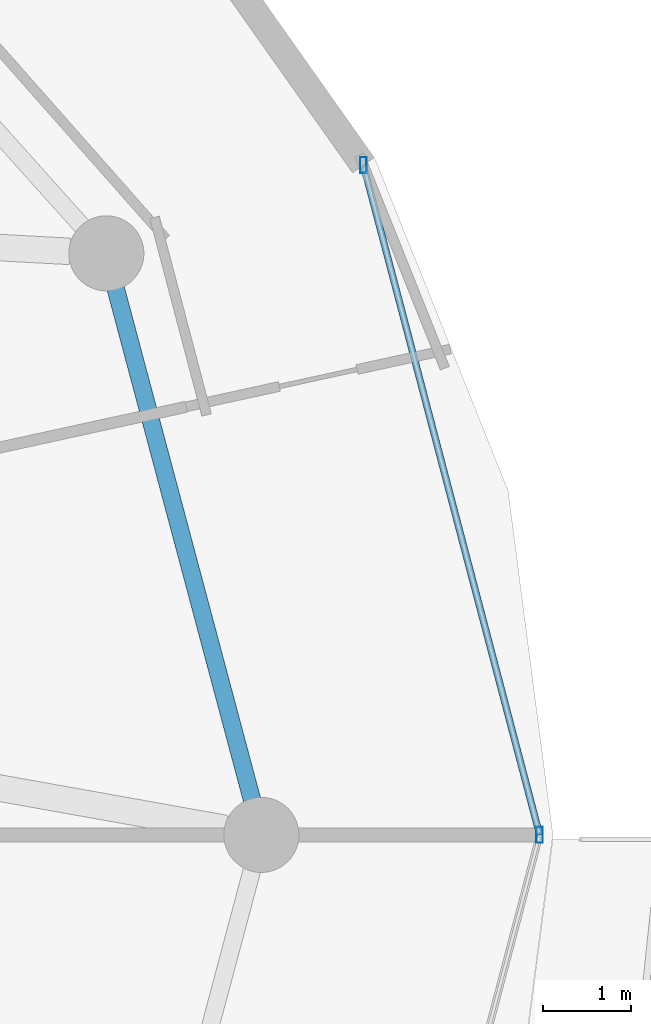
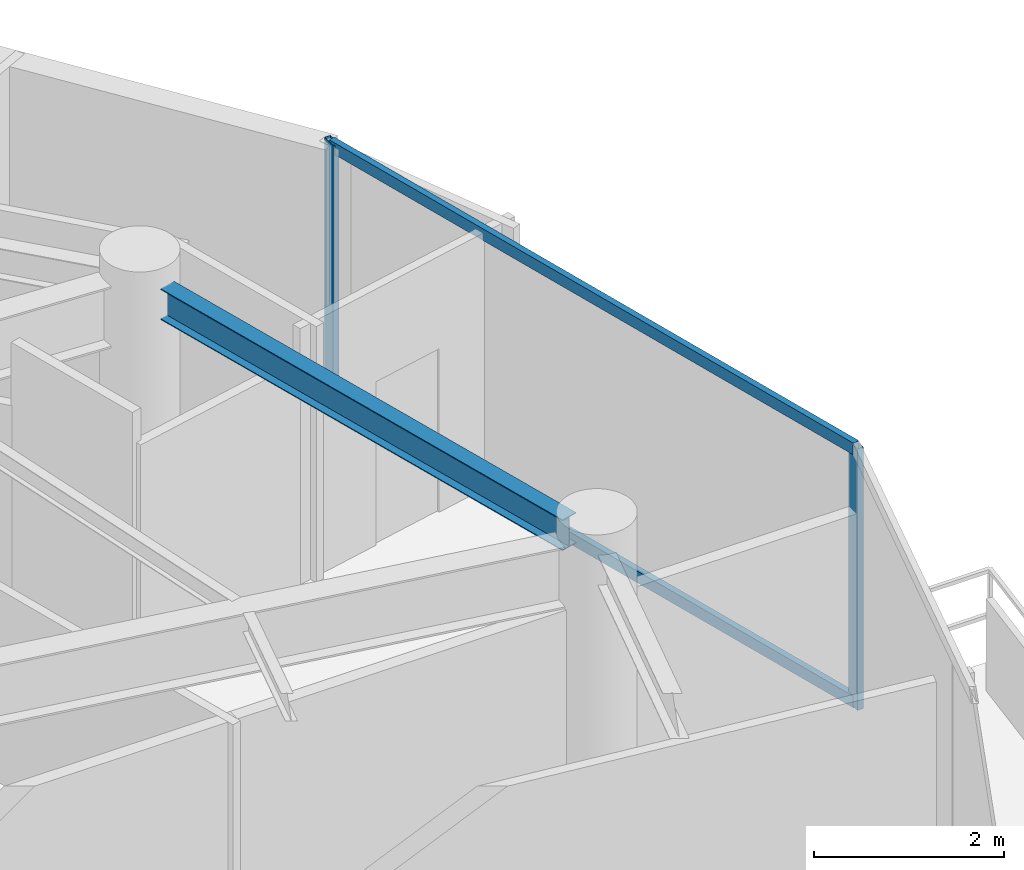
# One storey, part 14 of 29: 4 members, 1 beam, 1 element without a shape of its own.
"""IFC4 building model written with IfcOpenShell, lengths in metres."""

from ifc_helpers import new_model, si_unit, direction, frame, origin, origin_2d, place, context, subcontext, project, spatial, hollow_rectangle, i_section, extrude, material, material_profile, profile_set, type_object, element, aggregate, save


model = new_model("IFC4")

# Units and contexts
model_context = context("Model", 3, precision=1e-05, world=origin(), true_north=direction((0.0, 1.0)))
body_context = subcontext(model_context, "Body", "Model", "MODEL_VIEW")
ifc_project = project(units=[si_unit("LENGTHUNIT", "METRE"), si_unit("AREAUNIT", "SQUARE_METRE"), si_unit("VOLUMEUNIT", "CUBIC_METRE"), si_unit("PLANEANGLEUNIT", "RADIAN"), si_unit("MASSUNIT", "GRAM", prefix="KILO")], contexts=[model_context])

# Site, building, storey
site_placement = place(None, origin())
site = spatial("IfcSite", under=ifc_project, at=site_placement, CompositionType="ELEMENT")
building_placement = place(site_placement, origin())
building = spatial("IfcBuilding", under=site, at=building_placement, Name="Vorneva Point Tower", CompositionType="ELEMENT")
storey_placement = place(building_placement, frame((0.0, 0.0, 255.550048828125)))
storey = spatial("IfcBuildingStorey", under=building, at=storey_placement, Name="L69", CompositionType="ELEMENT", Elevation=255.550048828125)

# Beam
ifc_material_1 = material(Name="Steel S355", Category="steel")
ifc_material_profile_1 = material_profile(ifc_material_1, i_section(OverallWidth=0.198974609375, OverallDepth=0.39599609375, WebThickness=0.007080078125, FlangeThickness=0.010986328125, at=origin_2d()), Name="40B1")
ifc_profile_set_1 = profile_set([ifc_material_profile_1], Name="Steel S355")
beam_type = type_object("IfcBeamType", Name="BM-SPN-40B1", PredefinedType="SPANDREL", material=ifc_profile_set_1)
beam_placement = place(storey_placement, frame((60.9443359375, 26.396240234375, 3.092041015625), z_axis=(-0.257586570866, 0.966255224312, 0.0), x_axis=(-0.966255224312, -0.257586570866, 0.0)))
element("IfcBeam", 1, at=beam_placement, inside=storey, type_object=beam_type, Name="L69 Perimeter Spandrel Ring Beam 01", PredefinedType="SPANDREL", context=body_context, shape_type="SweptSolid", body=[
    extrude(i_section(OverallWidth=0.198974609375, OverallDepth=0.39599609375, WebThickness=0.007080078125, FlangeThickness=0.010986328125, at=origin_2d()), origin(), (0.0, 0.0, 1.0), 5.991943359375),
])

# Curtain wall, members
ifc_material_2 = material(Name="Pale anodised aluminium", Category="aluminium")
curtain_wall_type = type_object("IfcCurtainWallType", Name="CW-RES-SYS", PredefinedType="NOTDEFINED", material=ifc_material_2)
curtain_wall_placement = place(storey_placement, origin())
curtain_wall = element("IfcCurtainWall", 2, at=curtain_wall_placement, inside=storey, type_object=curtain_wall_type, Name="L69 Unitised Curtain Wall CW-L69-R01", PredefinedType="NOTDEFINED")
ifc_material_profile_2 = material_profile(ifc_material_2, hollow_rectangle(XDim=0.074951171875, YDim=0.179931640625, WallThickness=0.00390625, at=origin_2d()), Name="AL-MUL 180x75x4")
ifc_profile_set_2 = profile_set([ifc_material_profile_2], Name="Pale anodised aluminium")
member_type_1 = type_object("IfcMemberType", Name="CW-MUL-180", PredefinedType="MULLION", material=ifc_profile_set_2)
member_1_placement = place(storey_placement, frame((64.199951171875, 26.0, -0.0400390625), z_axis=(0.0, 0.0, 1.0), x_axis=(1.0, 0.0, 0.0)))
member_1 = element("IfcMember", 3, at=member_1_placement, type_object=member_type_1, Name="CW-L69-R01 Mullion 02", PredefinedType="MULLION", context=body_context, shape_type="SweptSolid", body=[
    extrude(hollow_rectangle(XDim=0.074951171875, YDim=0.179931640625, WallThickness=0.00390625, at=origin_2d()), origin(), (0.0, 0.0, 1.0), 3.360107421875),
])
member_2_placement = place(storey_placement, frame((62.20556640625, 33.5810546875, -0.0400390625), z_axis=(0.0, 0.0, 1.0), x_axis=(1.0, 0.0, 0.0)))
member_2 = element("IfcMember", 4, at=member_2_placement, type_object=member_type_1, Name="CW-L69-R01 Mullion 03", PredefinedType="MULLION", context=body_context, shape_type="SweptSolid", body=[
    extrude(hollow_rectangle(XDim=0.074951171875, YDim=0.179931640625, WallThickness=0.00390625, at=origin_2d()), origin(), (0.0, 0.0, 1.0), 3.360107421875),
])
ifc_material_profile_3 = material_profile(ifc_material_2, hollow_rectangle(XDim=0.074951171875, YDim=0.14990234375, WallThickness=0.00390625, at=origin_2d()), Name="AL-TRN 150x75x4")
ifc_profile_set_3 = profile_set([ifc_material_profile_3], Name="Pale anodised aluminium")
member_type_2 = type_object("IfcMemberType", Name="CW-TRN-150", PredefinedType="USERDEFINED", material=ifc_profile_set_3)
member_3_placement = place(storey_placement, frame((64.199951171875, 26.0, 0.02001953125), z_axis=(-0.254418180926, 0.967094302131, 0.0), x_axis=(-0.967094302131, -0.254418180926, 0.0)))
member_3 = element("IfcMember", 5, at=member_3_placement, type_object=member_type_2, Name="CW-L69-R01 Transom 02.1", ObjectType="TRANSOM", PredefinedType="USERDEFINED", context=body_context, shape_type="SweptSolid", body=[
    extrude(hollow_rectangle(XDim=0.074951171875, YDim=0.14990234375, WallThickness=0.00390625, at=origin_2d()), origin(), (0.0, 0.0, 1.0), 7.839111328125),
])
member_4_placement = place(storey_placement, frame((64.199951171875, 26.0, 3.27001953125), z_axis=(-0.254418180926, 0.967094302131, 0.0), x_axis=(-0.967094302131, -0.254418180926, 0.0)))
member_4 = element("IfcMember", 6, at=member_4_placement, type_object=member_type_2, Name="CW-L69-R01 Transom 02.2", ObjectType="TRANSOM", PredefinedType="USERDEFINED", context=body_context, shape_type="SweptSolid", body=[
    extrude(hollow_rectangle(XDim=0.074951171875, YDim=0.14990234375, WallThickness=0.00390625, at=origin_2d()), origin(), (0.0, 0.0, 1.0), 7.839111328125),
])
aggregate(curtain_wall, [member_1, member_2, member_3, member_4])

save(model, "model.ifc")
